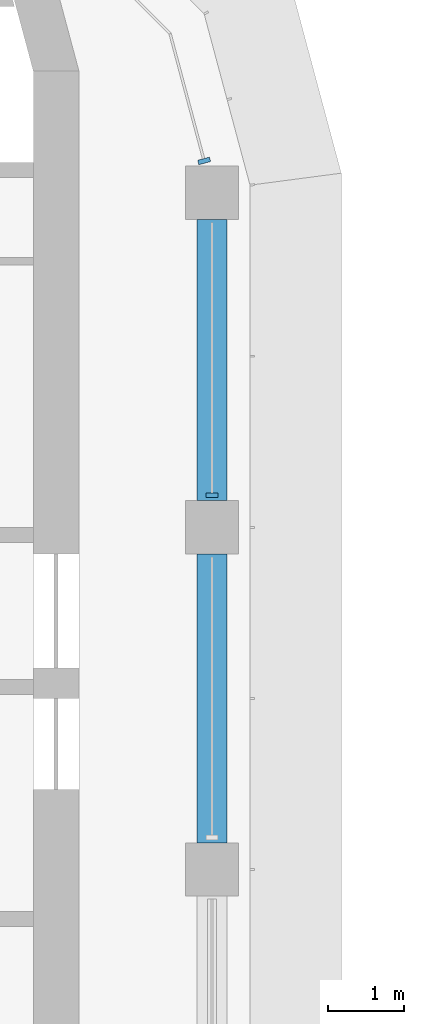
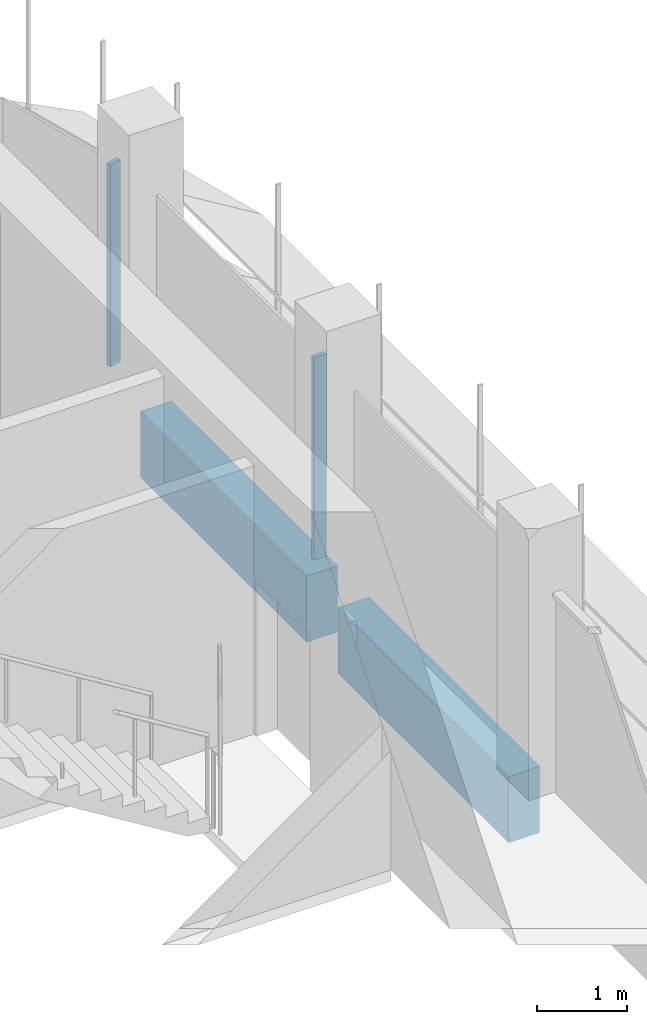
# One storey, part 10 of 19: 2 beams, 2 members, 2 elements without a shape of their own.
"""IFC4 building model written with IfcOpenShell, lengths in metres."""

from ifc_helpers import new_model, si_unit, direction, frame, origin, origin_2d, place, context, subcontext, project, spatial, polyline, rectangle, outline, extrude, source, transform, mapped, material, material_profile, profile_set, type_object, element, aggregate, save


model = new_model("IFC4")

# Units and contexts
model_context = context("Model", 3, precision=1e-05, world=origin(), true_north=direction((0.0, 1.0)))
body_context = subcontext(model_context, "Body", "Model", "MODEL_VIEW")
ifc_project = project(units=[si_unit("LENGTHUNIT", "METRE"), si_unit("AREAUNIT", "SQUARE_METRE"), si_unit("VOLUMEUNIT", "CUBIC_METRE"), si_unit("PLANEANGLEUNIT", "RADIAN"), si_unit("MASSUNIT", "GRAM", prefix="KILO")], contexts=[model_context])

# Site, building, storey
site_placement = place(None, origin())
site = spatial("IfcSite", under=ifc_project, at=site_placement, CompositionType="ELEMENT")
building_placement = place(site_placement, origin())
building = spatial("IfcBuilding", under=site, at=building_placement, Name="Zarbagh Exchange Tower", CompositionType="ELEMENT")
storey_placement = place(building_placement, frame((0.0, 0.0, 229.60009765625)))
storey = spatial("IfcBuildingStorey", under=building, at=storey_placement, Name="L56", CompositionType="ELEMENT", Elevation=229.60009765625)

# Beams
ifc_material_1 = material(Name="Concrete C50/60", Category="concrete")
ifc_material_profile = material_profile(ifc_material_1, rectangle(XDim=0.39990234375, YDim=0.89990234375, at=origin_2d()), Name="RC spandrel beam 400 x 900 C50/60")
ifc_profile_set = profile_set([ifc_material_profile], Name="Concrete C50/60")
beam_type = type_object("IfcBeamType", Name="RC spandrel beam 400 x 900 C50/60", PredefinedType="SPANDREL", material=ifc_profile_set)
beam_1_placement = place(storey_placement, frame((6.25, 24.300048828125, -0.60009765625), z_axis=(0.0, -1.0, 0.0), x_axis=(1.0, 0.0, 0.0)))
element("IfcBeam", 1, at=beam_1_placement, inside=storey, type_object=beam_type, Name="RC spandrel beam", PredefinedType="SPANDREL", context=body_context, shape_type="SweptSolid", body=[
    extrude(rectangle(XDim=0.39990234375, YDim=0.89990234375, at=origin_2d()), origin(), (0.0, 0.0, 1.0), 3.699951171875),
])
beam_2_placement = place(storey_placement, frame((6.25, 19.89990234375, -0.60009765625), z_axis=(0.0, -1.0, 0.0), x_axis=(1.0, 0.0, 0.0)))
element("IfcBeam", 2, at=beam_2_placement, inside=storey, type_object=beam_type, Name="RC spandrel beam", PredefinedType="SPANDREL", context=body_context, shape_type="SweptSolid", body=[
    extrude(rectangle(XDim=0.39990234375, YDim=0.89990234375, at=origin_2d()), origin(), (0.0, 0.0, 1.0), 3.7998046875),
])

# Curtain wall, member
ifc_material_2 = material(Name="Anodised aluminium frame and glazing", Category="aluminium")
curtain_wall_type = type_object("IfcCurtainWallType", Name="CWB Ribbon glazing, upper zones", PredefinedType="NOTDEFINED", material=ifc_material_2)
curtain_wall_1_placement = place(storey_placement, origin())
curtain_wall_1 = element("IfcCurtainWall", 3, at=curtain_wall_1_placement, inside=storey, type_object=curtain_wall_type, Name="CWB67 curtain wall", PredefinedType="NOTDEFINED")
ifc_material_3 = material(Name="Anodised aluminium frame", Category="aluminium")
member_type = type_object("IfcMemberType", Name="MUB Mullion, anodised aluminium frame", PredefinedType="MULLION", material=ifc_material_3)
shared_shape = source(origin(), body_context, "Body", "SweptSolid", [
    extrude(outline(polyline([(0.0, -0.080078125), (0.06005859375, -0.080078125), (0.06005859375, 0.080078125), (0.0, 0.080078125), (0.0, -0.080078125)])), origin(), (0.0, 0.0, 1.0), 2.75),
])
placement = place(storey_placement, origin())
member_1 = element("IfcMember", 4, at=placement, type_object=member_type, Name="CWB67 mullion 3.1", PredefinedType="MULLION", context=body_context, shape_type="MappedRepresentation", body=[
    mapped(shared_shape, transform((6.25, 20.64013671875, 0.0), x_axis=(0.0, 1.0, 0.0), y_axis=(-1.0, 0.0, 0.0), z_axis=(0.0, 0.0, 1.0))),
])
aggregate(curtain_wall_1, [member_1])

curtain_wall_2_placement = place(storey_placement, origin())
curtain_wall_2 = element("IfcCurtainWall", 5, at=curtain_wall_2_placement, inside=storey, type_object=curtain_wall_type, Name="CWB68 curtain wall", PredefinedType="NOTDEFINED")
member_2 = element("IfcMember", 6, at=placement, type_object=member_type, Name="CWB68 mullion 1.1", PredefinedType="MULLION", context=body_context, shape_type="MappedRepresentation", body=[
    mapped(shared_shape, transform((6.154541015625, 25.0400390625, 0.0), x_axis=(-0.258824779902, 0.965924289636, 0.0), y_axis=(-0.965924289636, -0.258824779902, 0.0), z_axis=(0.0, 0.0, 1.0))),
])
aggregate(curtain_wall_2, [member_2])

save(model, "model.ifc")
